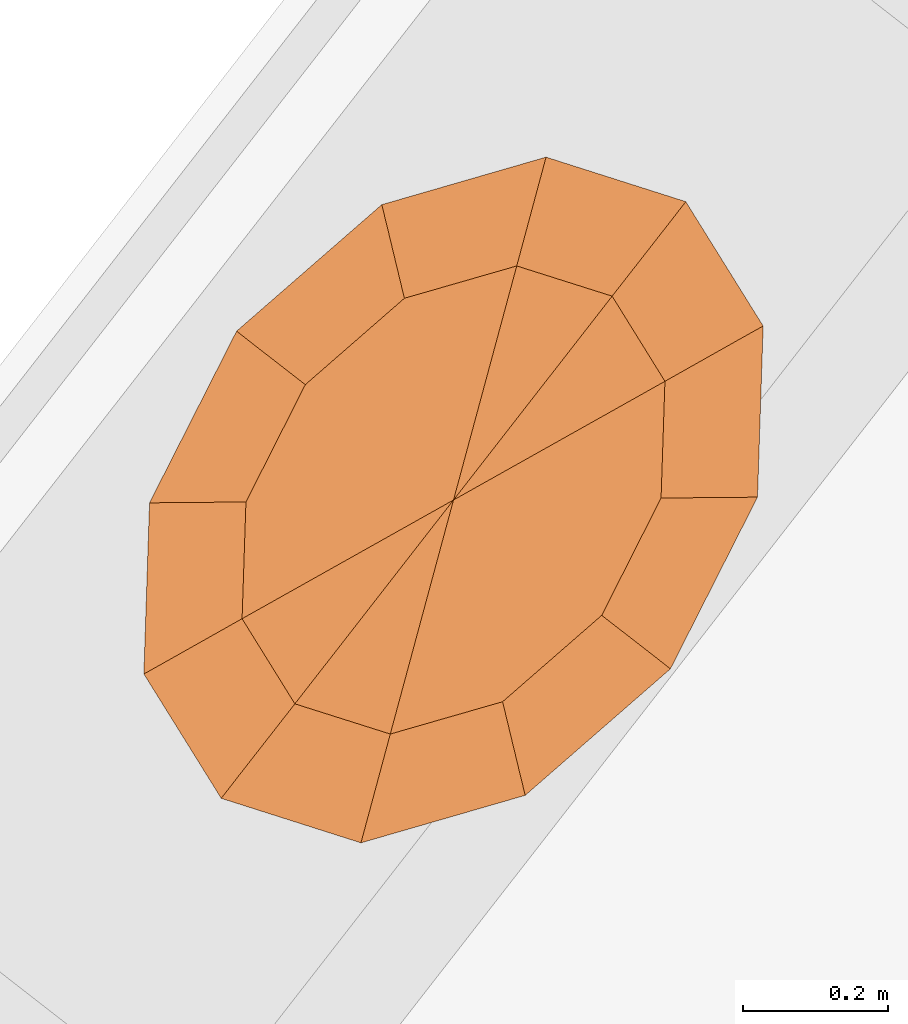
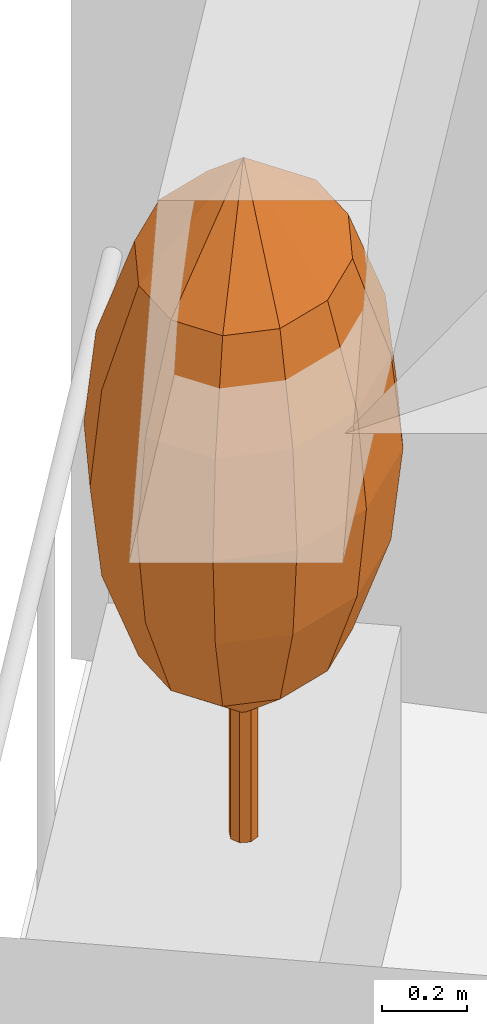
# One storey, part 12 of 12: 1 geographic element.
"""IFC4 building model written with IfcOpenShell, lengths in metres."""

from ifc_helpers import new_model, si_unit, direction, frame, origin, place, context, subcontext, project, spatial, faceted_brep, material, constituent, constituent_set, type_object, element, save


model = new_model("IFC4")

# Units and contexts
model_context = context("Model", 3, precision=1e-05, world=origin(), true_north=direction((0.0, 1.0)))
body_context = subcontext(model_context, "Body", "Model", "MODEL_VIEW")
ifc_project = project(units=[si_unit("LENGTHUNIT", "METRE"), si_unit("AREAUNIT", "SQUARE_METRE"), si_unit("VOLUMEUNIT", "CUBIC_METRE"), si_unit("PLANEANGLEUNIT", "RADIAN"), si_unit("MASSUNIT", "GRAM", prefix="KILO")], contexts=[model_context])

# Site, building, storey
site_placement = place(None, origin())
site = spatial("IfcSite", under=ifc_project, at=site_placement, CompositionType="ELEMENT")
building_placement = place(site_placement, origin())
building = spatial("IfcBuilding", under=site, at=building_placement, Name="Taillehof Tower", CompositionType="ELEMENT")
storey_placement = place(building_placement, frame((0.0, 0.0, 205.699951171875)))
storey = spatial("IfcBuildingStorey", under=building, at=storey_placement, Name="L58", CompositionType="ELEMENT", Elevation=205.699951171875)

# Geographic element
ifc_material_1 = material(Name="Tree bark", Category="timber")
ifc_constituent_1 = constituent(ifc_material_1, Name="Trunk", Category="timber")
ifc_material_2 = material(Name="Tree foliage")
ifc_constituent_2 = constituent(ifc_material_2, Name="Crown")
ifc_constituent_set = constituent_set(constituents=[ifc_constituent_1, ifc_constituent_2], Name="Tree TR2 Fastigiate yew")
geographic_element_type = type_object("IfcGeographicElementType", Name="Tree TR2 Fastigiate yew", PredefinedType="USERDEFINED", material=ifc_constituent_set)
geographic_element_placement = place(storey_placement, frame((-20.50341796875, 14.267822265625, 0.75)))
element("IfcGeographicElement", 1, at=geographic_element_placement, inside=storey, type_object=geographic_element_type, Name="Tree TR2 Fastigiate yew", ObjectType="TREE", PredefinedType="USERDEFINED", context=body_context, shape_type="Brep", body=[
    faceted_brep([(0.034912109375, 0.0, 0.0), (0.024658203125, 0.024658203125, 0.0), (0.024658203125, 0.024658203125, 0.909912109375), (0.034912109375, 0.0, 0.909912109375), (0.0, 0.034912109375, 0.0), (0.0, 0.034912109375, 0.909912109375), (-0.024658203125, 0.024658203125, 0.0), (-0.024658203125, 0.024658203125, 0.909912109375), (-0.034912109375, 0.0, 0.0), (-0.034912109375, 0.0, 0.909912109375), (-0.024658203125, -0.024658203125, 0.0), (-0.024658203125, -0.024658203125, 0.909912109375), (0.0, -0.034912109375, 0.0), (0.0, -0.034912109375, 0.909912109375), (0.024658203125, -0.024658203125, 0.0), (0.024658203125, -0.024658203125, 0.909912109375)], [[[0, 1, 2, 3]], [[1, 4, 5, 2]], [[4, 6, 7, 5]], [[6, 8, 9, 7]], [[8, 10, 11, 9]], [[10, 12, 13, 11]], [[12, 14, 15, 13]], [[14, 0, 3, 15]], [[14, 12, 10, 8, 6, 4, 1, 0]], [[3, 2, 5, 7, 9, 11, 13, 15]]]),
    faceted_brep([(0.0, 0.0, 0.35009765625), (-0.08740234375, -0.323486328125, 0.61669921875), (-0.21923828125, -0.28173828125, 0.61669921875), (0.06787109375, -0.27880859375, 0.61669921875), (0.204833984375, -0.159423828125, 0.61669921875), (0.286865234375, 0.002685546875, 0.61669921875), (0.292236328125, 0.1640625, 0.61669921875), (0.21923828125, 0.28173828125, 0.61669921875), (0.08740234375, 0.323486328125, 0.61669921875), (-0.06787109375, 0.27880859375, 0.61669921875), (-0.204833984375, 0.159423828125, 0.61669921875), (-0.286865234375, -0.002685546875, 0.61669921875), (-0.292236328125, -0.1640625, 0.61669921875), (-0.1181640625, -0.437744140625, 0.88330078125), (-0.296630859375, -0.380859375, 0.88330078125), (0.091552734375, -0.377197265625, 0.88330078125), (0.277099609375, -0.215576171875, 0.88330078125), (0.38818359375, 0.003662109375, 0.88330078125), (0.395263671875, 0.22216796875, 0.88330078125), (0.296630859375, 0.380859375, 0.88330078125), (0.1181640625, 0.437744140625, 0.88330078125), (-0.091552734375, 0.377197265625, 0.88330078125), (-0.277099609375, 0.215576171875, 0.88330078125), (-0.38818359375, -0.003662109375, 0.88330078125), (-0.395263671875, -0.22216796875, 0.88330078125), (-0.1279296875, -0.473876953125, 1.14990234375), (-0.321044921875, -0.412353515625, 1.14990234375), (0.09912109375, -0.408203125, 1.14990234375), (0.2998046875, -0.2333984375, 1.14990234375), (0.420166015625, 0.00390625, 1.14990234375), (0.427978515625, 0.240478515625, 1.14990234375), (0.321044921875, 0.412353515625, 1.14990234375), (0.1279296875, 0.473876953125, 1.14990234375), (-0.09912109375, 0.408203125, 1.14990234375), (-0.2998046875, 0.2333984375, 1.14990234375), (-0.420166015625, -0.00390625, 1.14990234375), (-0.427978515625, -0.240478515625, 1.14990234375), (-0.1181640625, -0.437744140625, 1.416748046875), (-0.296630859375, -0.380859375, 1.416748046875), (0.091552734375, -0.377197265625, 1.416748046875), (0.277099609375, -0.215576171875, 1.416748046875), (0.38818359375, 0.003662109375, 1.416748046875), (0.395263671875, 0.22216796875, 1.416748046875), (0.296630859375, 0.380859375, 1.416748046875), (0.1181640625, 0.437744140625, 1.416748046875), (-0.091552734375, 0.377197265625, 1.416748046875), (-0.277099609375, 0.215576171875, 1.416748046875), (-0.38818359375, -0.003662109375, 1.416748046875), (-0.395263671875, -0.22216796875, 1.416748046875), (-0.08740234375, -0.323486328125, 1.683349609375), (-0.21923828125, -0.28173828125, 1.683349609375), (0.06787109375, -0.27880859375, 1.683349609375), (0.204833984375, -0.159423828125, 1.683349609375), (0.286865234375, 0.002685546875, 1.683349609375), (0.292236328125, 0.1640625, 1.683349609375), (0.21923828125, 0.28173828125, 1.683349609375), (0.08740234375, 0.323486328125, 1.683349609375), (-0.06787109375, 0.27880859375, 1.683349609375), (-0.204833984375, 0.159423828125, 1.683349609375), (-0.286865234375, -0.002685546875, 1.683349609375), (-0.292236328125, -0.1640625, 1.683349609375), (0.0, 0.0, 1.949951171875)], [[[0, 1, 2]], [[0, 3, 1]], [[0, 4, 3]], [[0, 5, 4]], [[0, 6, 5]], [[0, 7, 6]], [[0, 8, 7]], [[0, 9, 8]], [[0, 10, 9]], [[0, 11, 10]], [[0, 12, 11]], [[0, 2, 12]], [[2, 1, 13, 14]], [[1, 3, 15, 13]], [[3, 4, 16, 15]], [[4, 5, 17, 16]], [[5, 6, 18, 17]], [[6, 7, 19, 18]], [[7, 8, 20, 19]], [[8, 9, 21, 20]], [[9, 10, 22, 21]], [[10, 11, 23, 22]], [[11, 12, 24, 23]], [[12, 2, 14, 24]], [[14, 13, 25, 26]], [[13, 15, 27, 25]], [[15, 16, 28, 27]], [[16, 17, 29, 28]], [[17, 18, 30, 29]], [[18, 19, 31, 30]], [[19, 20, 32, 31]], [[20, 21, 33, 32]], [[21, 22, 34, 33]], [[22, 23, 35, 34]], [[23, 24, 36, 35]], [[24, 14, 26, 36]], [[26, 25, 37, 38]], [[25, 27, 39, 37]], [[27, 28, 40, 39]], [[28, 29, 41, 40]], [[29, 30, 42, 41]], [[30, 31, 43, 42]], [[31, 32, 44, 43]], [[32, 33, 45, 44]], [[33, 34, 46, 45]], [[34, 35, 47, 46]], [[35, 36, 48, 47]], [[36, 26, 38, 48]], [[38, 37, 49, 50]], [[37, 39, 51, 49]], [[39, 40, 52, 51]], [[40, 41, 53, 52]], [[41, 42, 54, 53]], [[42, 43, 55, 54]], [[43, 44, 56, 55]], [[44, 45, 57, 56]], [[45, 46, 58, 57]], [[46, 47, 59, 58]], [[47, 48, 60, 59]], [[48, 38, 50, 60]], [[50, 49, 61]], [[49, 51, 61]], [[51, 52, 61]], [[52, 53, 61]], [[53, 54, 61]], [[54, 55, 61]], [[55, 56, 61]], [[56, 57, 61]], [[57, 58, 61]], [[58, 59, 61]], [[59, 60, 61]], [[60, 50, 61]]]),
])

save(model, "model.ifc")
